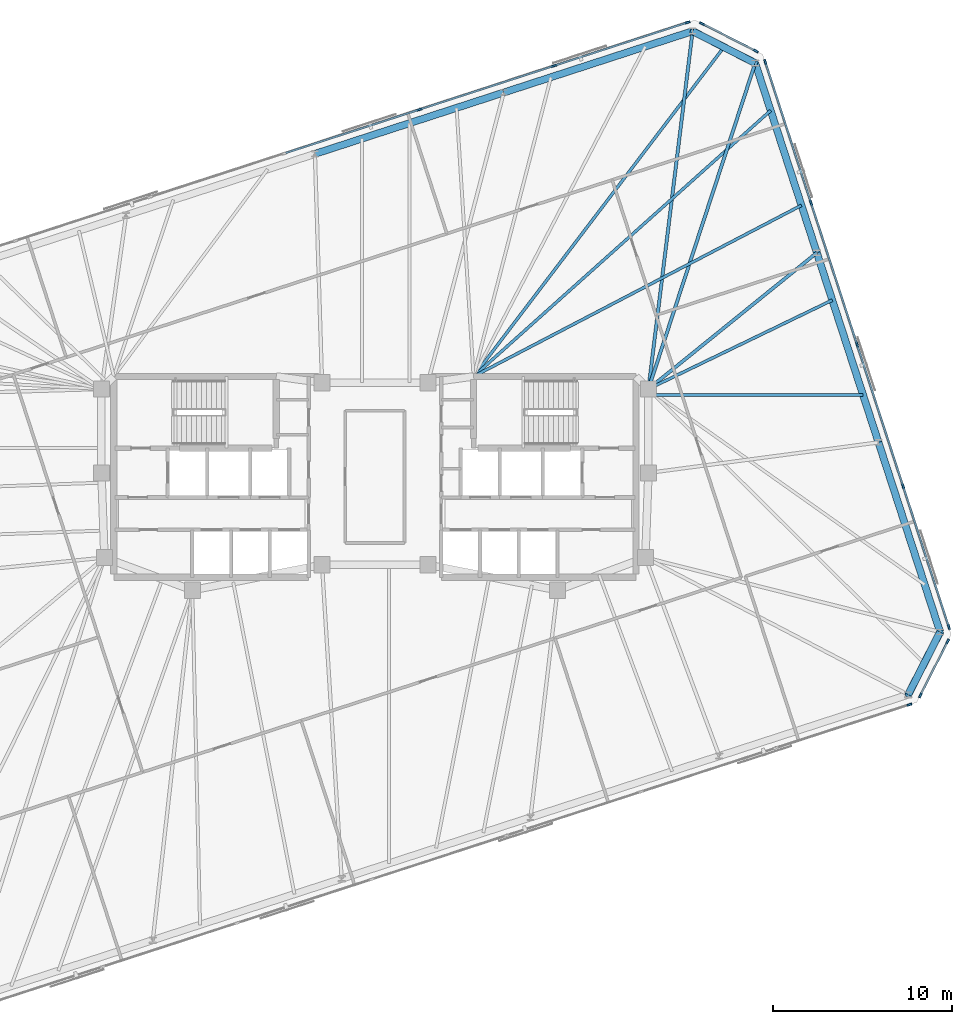
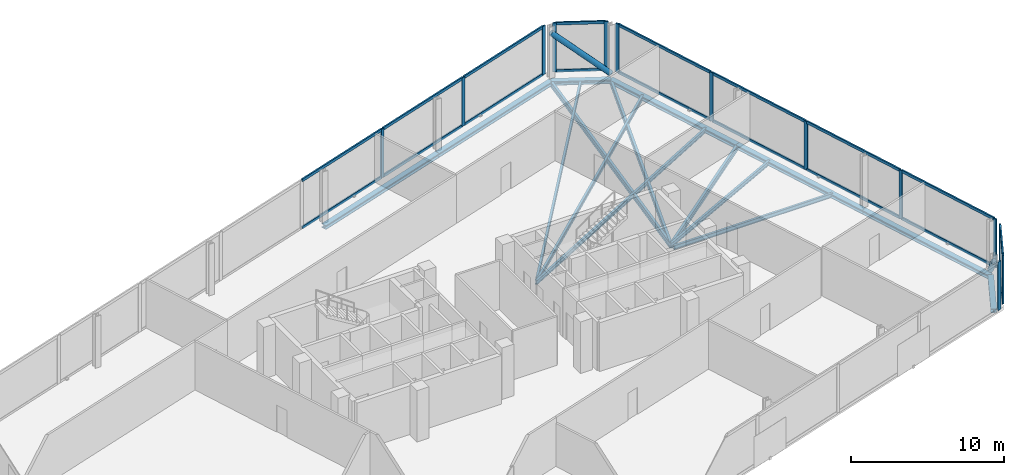
# One storey, part 8 of 14: 33 members, 15 beams, 5 elements without a shape of their own.
"""IFC4 building model written with IfcOpenShell, lengths in metres."""

from ifc_helpers import new_model, si_unit, direction, frame, origin, origin_2d, place, context, subcontext, project, spatial, rectangle, hollow_circle, i_section, extrude, material, material_profile, profile_set, type_object, element, aggregate, save


model = new_model("IFC4")

# Units and contexts
model_context = context("Model", 3, precision=1e-05, world=origin(), true_north=direction((0.0, 1.0)))
body_context = subcontext(model_context, "Body", "Model", "MODEL_VIEW")
ifc_project = project(units=[si_unit("LENGTHUNIT", "METRE"), si_unit("AREAUNIT", "SQUARE_METRE"), si_unit("VOLUMEUNIT", "CUBIC_METRE"), si_unit("PLANEANGLEUNIT", "RADIAN"), si_unit("MASSUNIT", "GRAM", prefix="KILO")], contexts=[model_context])

# Site, building, storey
site_placement = place(None, origin())
site = spatial("IfcSite", under=ifc_project, at=site_placement, CompositionType="ELEMENT")
building_placement = place(site_placement, origin())
building = spatial("IfcBuilding", under=site, at=building_placement, Name="Menara Jurai Vektor", CompositionType="ELEMENT")
storey_placement = place(building_placement, frame((0.0, 0.0, 206.800048828125)))
storey = spatial("IfcBuildingStorey", under=building, at=storey_placement, Name="L54", CompositionType="ELEMENT", Elevation=206.800048828125)

# Curtain wall, member
ifc_material_1 = material(Name="Anodised Pale Aluminium & Low-E Double Glazing", Category="aluminium")
curtain_wall_type = type_object("IfcCurtainWallType", Name="CW-SKY", PredefinedType="NOTDEFINED", material=ifc_material_1)
curtain_wall_1_placement = place(storey_placement, origin())
curtain_wall_1 = element("IfcCurtainWall", 1, at=curtain_wall_1_placement, inside=storey, type_object=curtain_wall_type, Name="Unitised Curtain Wall L54 F01", PredefinedType="NOTDEFINED")
ifc_material_2 = material(Name="Anodised Pale Aluminium Mullion", Category="aluminium")
ifc_material_profile_1 = material_profile(ifc_material_2, rectangle(XDim=0.110107421875, YDim=0.280029296875, at=origin_2d()), Name="ALU MUL 110x280")
ifc_profile_set_1 = profile_set([ifc_material_profile_1], Name="Anodised Pale Aluminium Mullion")
member_type_1 = type_object("IfcMemberType", Name="CW-SKY-MUL", PredefinedType="MULLION", material=ifc_profile_set_1)
member_1_placement = place(storey_placement, frame((29.796142578125, -12.703125, 0.0), z_axis=(0.0, 0.0, 1.0), x_axis=(-0.309017344167, 0.951056402641, 0.0)))
member_1 = element("IfcMember", 2, at=member_1_placement, type_object=member_type_1, Name="CW-06 mullion 8", PredefinedType="MULLION", context=body_context, shape_type="SweptSolid", body=[
    extrude(rectangle(XDim=0.110107421875, YDim=0.280029296875, at=origin_2d()), origin(), (0.0, 0.0, 1.0), 3.875),
])
aggregate(curtain_wall_1, [member_1])

# Curtain wall, members
curtain_wall_2_placement = place(storey_placement, origin())
curtain_wall_2 = element("IfcCurtainWall", 3, at=curtain_wall_2_placement, inside=storey, type_object=curtain_wall_type, Name="Unitised Curtain Wall L54 F02", PredefinedType="NOTDEFINED")
member_2_placement = place(storey_placement, frame((30.407470703125, -12.18115234375, 0.0), z_axis=(0.0, 0.0, 1.0), x_axis=(-0.89100750243, 0.453988579828, 0.0)))
member_2 = element("IfcMember", 4, at=member_2_placement, type_object=member_type_1, Name="CW-06 mullion 1", PredefinedType="MULLION", context=body_context, shape_type="SweptSolid", body=[
    extrude(rectangle(XDim=0.110107421875, YDim=0.280029296875, at=origin_2d()), origin(), (0.0, 0.0, 1.0), 3.875),
])
member_3_placement = place(storey_placement, frame((31.9384765625, -9.176025390625, 0.0), z_axis=(0.0, 0.0, 1.0), x_axis=(-0.89100750243, 0.453988579828, 0.0)))
member_3 = element("IfcMember", 5, at=member_3_placement, type_object=member_type_1, Name="CW-06 mullion 2", PredefinedType="MULLION", context=body_context, shape_type="SweptSolid", body=[
    extrude(rectangle(XDim=0.110107421875, YDim=0.280029296875, at=origin_2d()), origin(), (0.0, 0.0, 1.0), 3.875),
])

curtain_wall_3_placement = place(storey_placement, origin())
curtain_wall_3 = element("IfcCurtainWall", 6, at=curtain_wall_3_placement, inside=storey, type_object=curtain_wall_type, Name="Unitised Curtain Wall L54 F03", PredefinedType="NOTDEFINED")
member_4_placement = place(storey_placement, frame((32.001708984375, -8.374755859375, 0.0), z_axis=(0.0, 0.0, 1.0), x_axis=(-0.95105668295, -0.309016481464, 0.0)))
member_4 = element("IfcMember", 7, at=member_4_placement, type_object=member_type_1, Name="CW-06 mullion 1", PredefinedType="MULLION", context=body_context, shape_type="SweptSolid", body=[
    extrude(rectangle(XDim=0.110107421875, YDim=0.280029296875, at=origin_2d()), origin(), (0.0, 0.0, 1.0), 3.875),
])
member_5_placement = place(storey_placement, frame((29.45068359375, -0.523681640625, 0.0), z_axis=(0.0, 0.0, 1.0), x_axis=(-0.95105668295, -0.309016481464, 0.0)))
member_5 = element("IfcMember", 8, at=member_5_placement, type_object=member_type_1, Name="CW-06 mullion 2", PredefinedType="MULLION", context=body_context, shape_type="SweptSolid", body=[
    extrude(rectangle(XDim=0.110107421875, YDim=0.280029296875, at=origin_2d()), origin(), (0.0, 0.0, 1.0), 3.875),
])
member_6_placement = place(storey_placement, frame((26.8828125, 7.379638671875, 0.0), z_axis=(0.0, 0.0, 1.0), x_axis=(-0.95105668295, -0.309016481464, 0.0)))
member_6 = element("IfcMember", 9, at=member_6_placement, type_object=member_type_1, Name="CW-06 mullion 3", PredefinedType="MULLION", context=body_context, shape_type="SweptSolid", body=[
    extrude(rectangle(XDim=0.110107421875, YDim=0.280029296875, at=origin_2d()), origin(), (0.0, 0.0, 1.0), 3.875),
])
member_7_placement = place(storey_placement, frame((24.31494140625, 15.28271484375, 0.0), z_axis=(0.0, 0.0, 1.0), x_axis=(-0.95105668295, -0.309016481464, 0.0)))
member_7 = element("IfcMember", 10, at=member_7_placement, type_object=member_type_1, Name="CW-06 mullion 4", PredefinedType="MULLION", context=body_context, shape_type="SweptSolid", body=[
    extrude(rectangle(XDim=0.110107421875, YDim=0.280029296875, at=origin_2d()), origin(), (0.0, 0.0, 1.0), 3.875),
])
member_8_placement = place(storey_placement, frame((21.763916015625, 23.1337890625, 0.0), z_axis=(0.0, 0.0, 1.0), x_axis=(-0.95105668295, -0.309016481464, 0.0)))
member_8 = element("IfcMember", 11, at=member_8_placement, type_object=member_type_1, Name="CW-06 mullion 5", PredefinedType="MULLION", context=body_context, shape_type="SweptSolid", body=[
    extrude(rectangle(XDim=0.110107421875, YDim=0.280029296875, at=origin_2d()), origin(), (0.0, 0.0, 1.0), 3.875),
])

curtain_wall_4_placement = place(storey_placement, origin())
curtain_wall_4 = element("IfcCurtainWall", 12, at=curtain_wall_4_placement, inside=storey, type_object=curtain_wall_type, Name="Unitised Curtain Wall L54 F04", PredefinedType="NOTDEFINED")
member_9_placement = place(storey_placement, frame((21.241943359375, 23.744873046875, 0.0), z_axis=(0.0, 0.0, 1.0), x_axis=(-0.453988579828, -0.89100750243, 0.0)))
member_9 = element("IfcMember", 13, at=member_9_placement, type_object=member_type_1, Name="CW-06 mullion 1", PredefinedType="MULLION", context=body_context, shape_type="SweptSolid", body=[
    extrude(rectangle(XDim=0.110107421875, YDim=0.280029296875, at=origin_2d()), origin(), (0.0, 0.0, 1.0), 3.875),
])
member_10_placement = place(storey_placement, frame((18.23681640625, 25.276123046875, 0.0), z_axis=(0.0, 0.0, 1.0), x_axis=(-0.453988579828, -0.89100750243, 0.0)))
member_10 = element("IfcMember", 14, at=member_10_placement, type_object=member_type_1, Name="CW-06 mullion 2", PredefinedType="MULLION", context=body_context, shape_type="SweptSolid", body=[
    extrude(rectangle(XDim=0.110107421875, YDim=0.280029296875, at=origin_2d()), origin(), (0.0, 0.0, 1.0), 3.875),
])

curtain_wall_5_placement = place(storey_placement, origin())
curtain_wall_5 = element("IfcCurtainWall", 15, at=curtain_wall_5_placement, inside=storey, type_object=curtain_wall_type, Name="Unitised Curtain Wall L54 F05", PredefinedType="NOTDEFINED")
member_11_placement = place(storey_placement, frame((17.435546875, 25.339111328125, 0.0), z_axis=(0.0, 0.0, 1.0), x_axis=(0.309017344167, -0.951056402641, 0.0)))
member_11 = element("IfcMember", 16, at=member_11_placement, type_object=member_type_1, Name="CW-06 mullion 1", PredefinedType="MULLION", context=body_context, shape_type="SweptSolid", body=[
    extrude(rectangle(XDim=0.110107421875, YDim=0.280029296875, at=origin_2d()), origin(), (0.0, 0.0, 1.0), 3.875),
])
member_12_placement = place(storey_placement, frame((9.982666015625, 22.917724609375, 0.0), z_axis=(0.0, 0.0, 1.0), x_axis=(0.309017344167, -0.951056402641, 0.0)))
member_12 = element("IfcMember", 17, at=member_12_placement, type_object=member_type_1, Name="CW-06 mullion 2", PredefinedType="MULLION", context=body_context, shape_type="SweptSolid", body=[
    extrude(rectangle(XDim=0.110107421875, YDim=0.280029296875, at=origin_2d()), origin(), (0.0, 0.0, 1.0), 3.875),
])
member_13_placement = place(storey_placement, frame((2.4775390625, 20.47900390625, 0.0), z_axis=(0.0, 0.0, 1.0), x_axis=(0.309017344167, -0.951056402641, 0.0)))
member_13 = element("IfcMember", 18, at=member_13_placement, type_object=member_type_1, Name="CW-06 mullion 3", PredefinedType="MULLION", context=body_context, shape_type="SweptSolid", body=[
    extrude(rectangle(XDim=0.110107421875, YDim=0.280029296875, at=origin_2d()), origin(), (0.0, 0.0, 1.0), 3.875),
])

# Member
ifc_material_3 = material(Name="Anodised Pale Aluminium Transom", Category="aluminium")
ifc_material_profile_2 = material_profile(ifc_material_3, rectangle(XDim=0.110107421875, YDim=0.219970703125, at=origin_2d()), Name="ALU TRN 110x220")
ifc_profile_set_2 = profile_set([ifc_material_profile_2], Name="Anodised Pale Aluminium Transom")
member_type_2 = type_object("IfcMemberType", Name="CW-SKY-TRN", PredefinedType="USERDEFINED", material=ifc_profile_set_2)
member_14_placement = place(storey_placement, frame((30.432373046875, -12.132080078125, 0.054931640625), z_axis=(0.453995280401, 0.891004088303, 0.0), x_axis=(-0.891004088303, 0.453995280401, 0.0)))
member_14 = element("IfcMember", 19, at=member_14_placement, type_object=member_type_2, Name="CW-06 transom 1.1", ObjectType="TRANSOM", PredefinedType="USERDEFINED", context=body_context, shape_type="SweptSolid", body=[
    extrude(rectangle(XDim=0.110107421875, YDim=0.219970703125, at=origin_2d()), origin(), (0.0, 0.0, 1.0), 3.2626953125),
])

member_15_placement = place(storey_placement, frame((30.432373046875, -12.132080078125, 3.820068359375), z_axis=(0.453995280401, 0.891004088303, 0.0), x_axis=(-0.891004088303, 0.453995280401, 0.0)))
member_15 = element("IfcMember", 20, at=member_15_placement, type_object=member_type_2, Name="CW-06 transom 1.2", ObjectType="TRANSOM", PredefinedType="USERDEFINED", context=body_context, shape_type="SweptSolid", body=[
    extrude(rectangle(XDim=0.110107421875, YDim=0.219970703125, at=origin_2d()), origin(), (0.0, 0.0, 1.0), 3.2626953125),
])

aggregate(curtain_wall_2, [member_2, member_3, member_14, member_15])

member_16_placement = place(storey_placement, frame((31.984619140625, -8.322265625, 0.054931640625), z_axis=(-0.30900677194, 0.951059837705, 0.0), x_axis=(-0.951059837705, -0.30900677194, 0.0)))
member_16 = element("IfcMember", 21, at=member_16_placement, type_object=member_type_2, Name="CW-06 transom 1.1", ObjectType="TRANSOM", PredefinedType="USERDEFINED", context=body_context, shape_type="SweptSolid", body=[
    extrude(rectangle(XDim=0.110107421875, YDim=0.219970703125, at=origin_2d()), origin(), (0.0, 0.0, 1.0), 8.14501953125),
])

member_17_placement = place(storey_placement, frame((31.984619140625, -8.322265625, 3.820068359375), z_axis=(-0.30900677194, 0.951059837705, 0.0), x_axis=(-0.951059837705, -0.30900677194, 0.0)))
member_17 = element("IfcMember", 22, at=member_17_placement, type_object=member_type_2, Name="CW-06 transom 1.2", ObjectType="TRANSOM", PredefinedType="USERDEFINED", context=body_context, shape_type="SweptSolid", body=[
    extrude(rectangle(XDim=0.110107421875, YDim=0.219970703125, at=origin_2d()), origin(), (0.0, 0.0, 1.0), 8.14501953125),
])

member_18_placement = place(storey_placement, frame((29.43359375, -0.471435546875, 0.054931640625), z_axis=(-0.309019421968, 0.951055727519, 0.0), x_axis=(-0.951055727519, -0.309019421968, 0.0)))
member_18 = element("IfcMember", 23, at=member_18_placement, type_object=member_type_2, Name="CW-06 transom 2.1", ObjectType="TRANSOM", PredefinedType="USERDEFINED", context=body_context, shape_type="SweptSolid", body=[
    extrude(rectangle(XDim=0.110107421875, YDim=0.219970703125, at=origin_2d()), origin(), (0.0, 0.0, 1.0), 8.199951171875),
])

member_19_placement = place(storey_placement, frame((29.43359375, -0.471435546875, 3.820068359375), z_axis=(-0.309019421968, 0.951055727519, 0.0), x_axis=(-0.951055727519, -0.309019421968, 0.0)))
member_19 = element("IfcMember", 24, at=member_19_placement, type_object=member_type_2, Name="CW-06 transom 2.2", ObjectType="TRANSOM", PredefinedType="USERDEFINED", context=body_context, shape_type="SweptSolid", body=[
    extrude(rectangle(XDim=0.110107421875, YDim=0.219970703125, at=origin_2d()), origin(), (0.0, 0.0, 1.0), 8.199951171875),
])

member_20_placement = place(storey_placement, frame((26.86572265625, 7.431884765625, 0.054931640625), z_axis=(-0.309019421968, 0.951055727519, 0.0), x_axis=(-0.951055727519, -0.309019421968, 0.0)))
member_20 = element("IfcMember", 25, at=member_20_placement, type_object=member_type_2, Name="CW-06 transom 3.1", ObjectType="TRANSOM", PredefinedType="USERDEFINED", context=body_context, shape_type="SweptSolid", body=[
    extrude(rectangle(XDim=0.110107421875, YDim=0.219970703125, at=origin_2d()), origin(), (0.0, 0.0, 1.0), 8.199951171875),
])

member_21_placement = place(storey_placement, frame((26.86572265625, 7.431884765625, 3.820068359375), z_axis=(-0.309019421968, 0.951055727519, 0.0), x_axis=(-0.951055727519, -0.309019421968, 0.0)))
member_21 = element("IfcMember", 26, at=member_21_placement, type_object=member_type_2, Name="CW-06 transom 3.2", ObjectType="TRANSOM", PredefinedType="USERDEFINED", context=body_context, shape_type="SweptSolid", body=[
    extrude(rectangle(XDim=0.110107421875, YDim=0.219970703125, at=origin_2d()), origin(), (0.0, 0.0, 1.0), 8.199951171875),
])

member_22_placement = place(storey_placement, frame((24.2978515625, 15.335205078125, 0.054931640625), z_axis=(-0.30900677194, 0.951059837705, 0.0), x_axis=(-0.951059837705, -0.30900677194, 0.0)))
member_22 = element("IfcMember", 27, at=member_22_placement, type_object=member_type_2, Name="CW-06 transom 4.1", ObjectType="TRANSOM", PredefinedType="USERDEFINED", context=body_context, shape_type="SweptSolid", body=[
    extrude(rectangle(XDim=0.110107421875, YDim=0.219970703125, at=origin_2d()), origin(), (0.0, 0.0, 1.0), 8.14501953125),
])

member_23_placement = place(storey_placement, frame((24.2978515625, 15.335205078125, 3.820068359375), z_axis=(-0.30900677194, 0.951059837705, 0.0), x_axis=(-0.951059837705, -0.30900677194, 0.0)))
member_23 = element("IfcMember", 28, at=member_23_placement, type_object=member_type_2, Name="CW-06 transom 4.2", ObjectType="TRANSOM", PredefinedType="USERDEFINED", context=body_context, shape_type="SweptSolid", body=[
    extrude(rectangle(XDim=0.110107421875, YDim=0.219970703125, at=origin_2d()), origin(), (0.0, 0.0, 1.0), 8.14501953125),
])

aggregate(curtain_wall_3, [member_4, member_5, member_6, member_7, member_8, member_16, member_17, member_18, member_19, member_20, member_21, member_22, member_23])

member_24_placement = place(storey_placement, frame((21.19287109375, 23.77001953125, 0.054931640625), z_axis=(-0.891004088303, 0.453995280401, 0.0), x_axis=(-0.453995280401, -0.891004088303, 0.0)))
member_24 = element("IfcMember", 29, at=member_24_placement, type_object=member_type_2, Name="CW-06 transom 1.1", ObjectType="TRANSOM", PredefinedType="USERDEFINED", context=body_context, shape_type="SweptSolid", body=[
    extrude(rectangle(XDim=0.110107421875, YDim=0.219970703125, at=origin_2d()), origin(), (0.0, 0.0, 1.0), 3.2626953125),
])

member_25_placement = place(storey_placement, frame((21.19287109375, 23.77001953125, 3.820068359375), z_axis=(-0.891004088303, 0.453995280401, 0.0), x_axis=(-0.453995280401, -0.891004088303, 0.0)))
member_25 = element("IfcMember", 30, at=member_25_placement, type_object=member_type_2, Name="CW-06 transom 1.2", ObjectType="TRANSOM", PredefinedType="USERDEFINED", context=body_context, shape_type="SweptSolid", body=[
    extrude(rectangle(XDim=0.110107421875, YDim=0.219970703125, at=origin_2d()), origin(), (0.0, 0.0, 1.0), 3.2626953125),
])

aggregate(curtain_wall_4, [member_9, member_10, member_24, member_25])

member_26_placement = place(storey_placement, frame((17.38330078125, 25.322265625, 0.054931640625), z_axis=(-0.951054268404, -0.309023912588, 0.0), x_axis=(0.309023912588, -0.951054268404, 0.0)))
member_26 = element("IfcMember", 31, at=member_26_placement, type_object=member_type_2, Name="CW-06 transom 1.1", ObjectType="TRANSOM", PredefinedType="USERDEFINED", context=body_context, shape_type="SweptSolid", body=[
    extrude(rectangle(XDim=0.110107421875, YDim=0.219970703125, at=origin_2d()), origin(), (0.0, 0.0, 1.0), 7.7265625),
])

member_27_placement = place(storey_placement, frame((17.38330078125, 25.322265625, 3.820068359375), z_axis=(-0.951054268404, -0.309023912588, 0.0), x_axis=(0.309023912588, -0.951054268404, 0.0)))
member_27 = element("IfcMember", 32, at=member_27_placement, type_object=member_type_2, Name="CW-06 transom 1.2", ObjectType="TRANSOM", PredefinedType="USERDEFINED", context=body_context, shape_type="SweptSolid", body=[
    extrude(rectangle(XDim=0.110107421875, YDim=0.219970703125, at=origin_2d()), origin(), (0.0, 0.0, 1.0), 7.7265625),
])

member_28_placement = place(storey_placement, frame((9.930419921875, 22.900634765625, 0.054931640625), z_axis=(-0.951059197217, -0.309008743225, 0.0), x_axis=(0.309008743225, -0.951059197217, 0.0)))
member_28 = element("IfcMember", 33, at=member_28_placement, type_object=member_type_2, Name="CW-06 transom 2.1", ObjectType="TRANSOM", PredefinedType="USERDEFINED", context=body_context, shape_type="SweptSolid", body=[
    extrude(rectangle(XDim=0.110107421875, YDim=0.219970703125, at=origin_2d()), origin(), (0.0, 0.0, 1.0), 7.781494140625),
])

member_29_placement = place(storey_placement, frame((9.930419921875, 22.900634765625, 3.820068359375), z_axis=(-0.951059197217, -0.309008743225, 0.0), x_axis=(0.309008743225, -0.951059197217, 0.0)))
member_29 = element("IfcMember", 34, at=member_29_placement, type_object=member_type_2, Name="CW-06 transom 2.2", ObjectType="TRANSOM", PredefinedType="USERDEFINED", context=body_context, shape_type="SweptSolid", body=[
    extrude(rectangle(XDim=0.110107421875, YDim=0.219970703125, at=origin_2d()), origin(), (0.0, 0.0, 1.0), 7.781494140625),
])

member_30_placement = place(storey_placement, frame((2.425048828125, 20.4619140625, 0.054931640625), z_axis=(-0.951056201232, -0.309017964038, 0.0), x_axis=(0.309017964038, -0.951056201232, 0.0)))
member_30 = element("IfcMember", 35, at=member_30_placement, type_object=member_type_2, Name="CW-06 transom 3.1", ObjectType="TRANSOM", PredefinedType="USERDEFINED", context=body_context, shape_type="SweptSolid", body=[
    extrude(rectangle(XDim=0.110107421875, YDim=0.219970703125, at=origin_2d()), origin(), (0.0, 0.0, 1.0), 7.78125),
])

member_31_placement = place(storey_placement, frame((2.425048828125, 20.4619140625, 3.820068359375), z_axis=(-0.951056201232, -0.309017964038, 0.0), x_axis=(0.309017964038, -0.951056201232, 0.0)))
member_31 = element("IfcMember", 36, at=member_31_placement, type_object=member_type_2, Name="CW-06 transom 3.2", ObjectType="TRANSOM", PredefinedType="USERDEFINED", context=body_context, shape_type="SweptSolid", body=[
    extrude(rectangle(XDim=0.110107421875, YDim=0.219970703125, at=origin_2d()), origin(), (0.0, 0.0, 1.0), 7.78125),
])

aggregate(curtain_wall_5, [member_11, member_12, member_13, member_26, member_27, member_28, member_29, member_30, member_31])

# Beams
ifc_material_4 = material(Name="Steel S355", Category="steel")
ifc_material_profile_3 = material_profile(ifc_material_4, i_section(OverallWidth=0.18505859375, OverallDepth=0.429931640625, WebThickness=0.010986328125, FlangeThickness=0.01806640625, at=origin_2d()), Name="PG 430x185x76")
ifc_profile_set_3 = profile_set([ifc_material_profile_3], Name="Steel S355")
beam_type_1 = type_object("IfcBeamType", Name="STR-BM-430", PredefinedType="BEAM", material=ifc_profile_set_3)
beam_1_placement = place(storey_placement, frame((24.641845703125, 12.496826171875, -0.465087890625), z_axis=(-0.777487674144, -0.628898176619, 0.0), x_axis=(0.628898176619, -0.777487674144, 0.0)))
element("IfcBeam", 37, at=beam_1_placement, inside=storey, type_object=beam_type_1, Name="Radial Floor Girder L54-E3", PredefinedType="BEAM", context=body_context, shape_type="SweptSolid", body=[
    extrude(i_section(OverallWidth=0.18505859375, OverallDepth=0.429931640625, WebThickness=0.010986328125, FlangeThickness=0.01806640625, at=origin_2d()), origin(), (0.0, 0.0, 1.0), 12.079833984375),
])
beam_2_placement = place(storey_placement, frame((21.205810546875, 23.071044921875, -0.465087890625), z_axis=(-0.311459010005, -0.950259588263, 0.0), x_axis=(0.950259588263, -0.311459010005, 0.0)))
element("IfcBeam", 38, at=beam_2_placement, inside=storey, type_object=beam_type_1, Name="Radial Floor Girder L54-E4", PredefinedType="BEAM", context=body_context, shape_type="SweptSolid", body=[
    extrude(i_section(OverallWidth=0.18505859375, OverallDepth=0.429931640625, WebThickness=0.010986328125, FlangeThickness=0.01806640625, at=origin_2d()), origin(), (0.0, 0.0, 1.0), 19.122314453125),
])
beam_3_placement = place(storey_placement, frame((17.712890625, 24.85107421875, -0.465087890625), z_axis=(-0.122515938756, -0.99246654591, 0.0), x_axis=(0.99246654591, -0.122515938756, 0.0)))
element("IfcBeam", 39, at=beam_3_placement, inside=storey, type_object=beam_type_1, Name="Radial Floor Girder L54-N1", PredefinedType="BEAM", context=body_context, shape_type="SweptSolid", body=[
    extrude(i_section(OverallWidth=0.18505859375, OverallDepth=0.429931640625, WebThickness=0.010986328125, FlangeThickness=0.01806640625, at=origin_2d()), origin(), (0.0, 0.0, 1.0), 20.1025390625),
])
ifc_material_5 = material(Name="Steel S460", Category="steel")
ifc_material_profile_4 = material_profile(ifc_material_5, i_section(OverallWidth=0.39697265625, OverallDepth=0.31591796875, WebThickness=0.030029296875, FlangeThickness=0.048095703125, FilletRadius=0.014892578125, at=origin_2d()), Name="HD 400x382")
ifc_profile_set_4 = profile_set([ifc_material_profile_4], Name="Steel S460")
beam_type_2 = type_object("IfcBeamType", Name="STR-BM-CHORD382", PredefinedType="SPANDREL", material=ifc_profile_set_4)
beam_4_placement = place(storey_placement, frame((29.7333984375, -12.14501953125, -0.407958984375), z_axis=(0.454050785633, 0.890975804423, 0.0), x_axis=(-0.890975804423, 0.454050785633, 0.0)))
element("IfcBeam", 40, at=beam_4_placement, inside=storey, type_object=beam_type_2, Name="Exoskeleton Spandrel Beam L54-06", PredefinedType="SPANDREL", context=body_context, shape_type="SweptSolid", body=[
    extrude(i_section(OverallWidth=0.39697265625, OverallDepth=0.31591796875, WebThickness=0.030029296875, FlangeThickness=0.048095703125, FilletRadius=0.014892578125, at=origin_2d()), origin(), (0.0, 0.0, 1.0), 3.92041015625),
])
for number, where, z_axis, x_axis, name in (
    (41, (31.513427734375, -8.652099609375, -0.407958984375), (-0.309012092614, 0.95105810896, 0.0), (-0.95105810896, -0.309012092614, 0.0), "Exoskeleton Spandrel Beam L54-07"),
    (42, (28.07763671875, 1.92236328125, -0.407958984375), (-0.309012092614, 0.95105810896, 0.0), (-0.95105810896, -0.309012092614, 0.0), "Exoskeleton Spandrel Beam L54-08"),
):
    element("IfcBeam", number, at=place(storey_placement, frame(where, z_axis=z_axis, x_axis=x_axis)), inside=storey, type_object=beam_type_2, Name=name, PredefinedType="SPANDREL", context=body_context, shape_type="SweptSolid", body=[
        extrude(i_section(OverallWidth=0.39697265625, OverallDepth=0.31591796875, WebThickness=0.030029296875, FlangeThickness=0.048095703125, FilletRadius=0.014892578125, at=origin_2d()), origin(), (0.0, 0.0, 1.0), 11.11865234375),
    ])
beam_5_placement = place(storey_placement, frame((24.641845703125, 12.496826171875, -0.407958984375), z_axis=(-0.309038407092, 0.951049558615, 0.0), x_axis=(-0.951049558615, -0.309038407092, 0.0)))
element("IfcBeam", 43, at=beam_5_placement, inside=storey, type_object=beam_type_2, Name="Exoskeleton Spandrel Beam L54-09", PredefinedType="SPANDREL", context=body_context, shape_type="SweptSolid", body=[
    extrude(i_section(OverallWidth=0.39697265625, OverallDepth=0.31591796875, WebThickness=0.030029296875, FlangeThickness=0.048095703125, FilletRadius=0.014892578125, at=origin_2d()), origin(), (0.0, 0.0, 1.0), 11.118408203125),
])
beam_6_placement = place(storey_placement, frame((21.205810546875, 23.071044921875, -0.407958984375), z_axis=(-0.890975804423, 0.454050785633, 0.0), x_axis=(-0.454050785633, -0.890975804423, 0.0)))
element("IfcBeam", 44, at=beam_6_placement, inside=storey, type_object=beam_type_2, Name="Exoskeleton Spandrel Beam L54-10", PredefinedType="SPANDREL", context=body_context, shape_type="SweptSolid", body=[
    extrude(i_section(OverallWidth=0.39697265625, OverallDepth=0.31591796875, WebThickness=0.030029296875, FlangeThickness=0.048095703125, FilletRadius=0.014892578125, at=origin_2d()), origin(), (0.0, 0.0, 1.0), 3.92041015625),
])
beam_7_placement = place(storey_placement, frame((17.712890625, 24.85107421875, -0.407958984375), z_axis=(-0.951050920942, -0.309034214572, 0.0), x_axis=(0.309034214572, -0.951050920942, 0.0)))
element("IfcBeam", 45, at=beam_7_placement, inside=storey, type_object=beam_type_2, Name="Exoskeleton Spandrel Beam L54-11", PredefinedType="SPANDREL", context=body_context, shape_type="SweptSolid", body=[
    extrude(i_section(OverallWidth=0.39697265625, OverallDepth=0.31591796875, WebThickness=0.030029296875, FlangeThickness=0.048095703125, FilletRadius=0.014892578125, at=origin_2d()), origin(), (0.0, 0.0, 1.0), 11.0712890625),
])
beam_8_placement = place(storey_placement, frame((7.18359375, 21.4296875, -0.407958984375), z_axis=(-0.951057401967, -0.309014268544, 0.0), x_axis=(0.309014268544, -0.951057401967, 0.0)))
element("IfcBeam", 46, at=beam_8_placement, inside=storey, type_object=beam_type_2, Name="Exoskeleton Spandrel Beam L54-12", PredefinedType="SPANDREL", context=body_context, shape_type="SweptSolid", body=[
    extrude(i_section(OverallWidth=0.39697265625, OverallDepth=0.31591796875, WebThickness=0.030029296875, FlangeThickness=0.048095703125, FilletRadius=0.014892578125, at=origin_2d()), origin(), (0.0, 0.0, 1.0), 11.071044921875),
])

# Members
ifc_material_profile_5 = material_profile(ifc_material_5, hollow_circle(Radius=0.203125, WallThickness=0.01611328125, at=origin_2d()), Name="CHS 406.4x16")
ifc_profile_set_5 = profile_set([ifc_material_profile_5], Name="Steel S460")
member_type_3 = type_object("IfcMemberType", Name="STR-BR-406", PredefinedType="BRACE", material=ifc_profile_set_5)
member_32_placement = place(storey_placement, frame((31.513427734375, -8.652099609375, 0.14990234375), z_axis=(-0.344060385079, -0.675236204298, 0.652440433928), x_axis=(0.891000997215, -0.454001346872, 0.0)))
element("IfcMember", 47, at=member_32_placement, inside=storey, type_object=member_type_3, Name="Exoskeleton Corner Brace L54-1", PredefinedType="BRACE", context=body_context, shape_type="SweptSolid", body=[
    extrude(hollow_circle(Radius=0.203125, WallThickness=0.01611328125, at=origin_2d()), origin(), (0.0, 0.0, 1.0), 5.1728515625),
])
member_33_placement = place(storey_placement, frame((21.2060546875, 23.071044921875, 0.14990234375), z_axis=(-0.675250915533, 0.344091027757, 0.652409047829), x_axis=(-0.454025593397, -0.890988642206, 0.0)))
element("IfcMember", 48, at=member_33_placement, inside=storey, type_object=member_type_3, Name="Exoskeleton Corner Brace L54-2", PredefinedType="BRACE", context=body_context, shape_type="SweptSolid", body=[
    extrude(hollow_circle(Radius=0.203125, WallThickness=0.01611328125, at=origin_2d()), origin(), (0.0, 0.0, 1.0), 5.173095703125),
])

# Beams
ifc_material_profile_6 = material_profile(ifc_material_4, i_section(OverallWidth=0.1650390625, OverallDepth=0.330078125, WebThickness=0.009033203125, FlangeThickness=0.013916015625, at=origin_2d()), Name="PG 330x165x46")
ifc_profile_set_6 = profile_set([ifc_material_profile_6], Name="Steel S355")
beam_type_3 = type_object("IfcBeamType", Name="STR-JS-330", PredefinedType="JOIST", material=ifc_profile_set_6)
beam_9_placement = place(storey_placement, frame((27.218505859375, 4.56591796875, -0.4150390625), z_axis=(-1.0, 0.0, 0.0), x_axis=(0.0, -1.0, 0.0)))
element("IfcBeam", 49, at=beam_9_placement, inside=storey, type_object=beam_type_3, Name="Radial Secondary Floor Joist L54-JS11", PredefinedType="JOIST", context=body_context, shape_type="SweptSolid", body=[
    extrude(i_section(OverallWidth=0.1650390625, OverallDepth=0.330078125, WebThickness=0.009033203125, FlangeThickness=0.013916015625, at=origin_2d()), origin(), (0.0, 0.0, 1.0), 11.968505859375),
])
beam_10_placement = place(storey_placement, frame((25.500732421875, 9.853271484375, -0.4150390625), z_axis=(-0.900388578627, -0.435086666629, 0.0), x_axis=(0.435086666629, -0.900388578627, 0.0)))
element("IfcBeam", 50, at=beam_10_placement, inside=storey, type_object=beam_type_3, Name="Radial Secondary Floor Joist L54-JS12", PredefinedType="JOIST", context=body_context, shape_type="SweptSolid", body=[
    extrude(i_section(OverallWidth=0.1650390625, OverallDepth=0.330078125, WebThickness=0.009033203125, FlangeThickness=0.013916015625, at=origin_2d()), origin(), (0.0, 0.0, 1.0), 11.384765625),
])
beam_11_placement = place(storey_placement, frame((23.78271484375, 15.140380859375, -0.4150390625), z_axis=(-0.886555502614, -0.462622244153, 0.0), x_axis=(0.462622244153, -0.886555502614, 0.0)))
element("IfcBeam", 51, at=beam_11_placement, inside=storey, type_object=beam_type_3, Name="Radial Secondary Floor Joist L54-JS13", PredefinedType="JOIST", context=body_context, shape_type="SweptSolid", body=[
    extrude(i_section(OverallWidth=0.1650390625, OverallDepth=0.330078125, WebThickness=0.009033203125, FlangeThickness=0.013916015625, at=origin_2d()), origin(), (0.0, 0.0, 1.0), 20.6220703125),
])
beam_12_placement = place(storey_placement, frame((22.06494140625, 20.427490234375, -0.4150390625), z_axis=(-0.745104297608, -0.666947963252, 0.0), x_axis=(0.666947963252, -0.745104297608, 0.0)))
element("IfcBeam", 52, at=beam_12_placement, inside=storey, type_object=beam_type_3, Name="Radial Secondary Floor Joist L54-JS14", PredefinedType="JOIST", context=body_context, shape_type="SweptSolid", body=[
    extrude(i_section(OverallWidth=0.1650390625, OverallDepth=0.330078125, WebThickness=0.009033203125, FlangeThickness=0.013916015625, at=origin_2d()), origin(), (0.0, 0.0, 1.0), 22.231689453125),
])
beam_13_placement = place(storey_placement, frame((19.45947265625, 23.9609375, -0.4150390625), z_axis=(-0.605227110118, -0.796052853257, 0.0), x_axis=(0.796052853257, -0.605227110118, 0.0)))
element("IfcBeam", 53, at=beam_13_placement, inside=storey, type_object=beam_type_3, Name="Radial Secondary Floor Joist L54-JS15", PredefinedType="JOIST", context=body_context, shape_type="SweptSolid", body=[
    extrude(i_section(OverallWidth=0.1650390625, OverallDepth=0.330078125, WebThickness=0.009033203125, FlangeThickness=0.013916015625, at=origin_2d()), origin(), (0.0, 0.0, 1.0), 23.06494140625),
])

save(model, "model.ifc")
